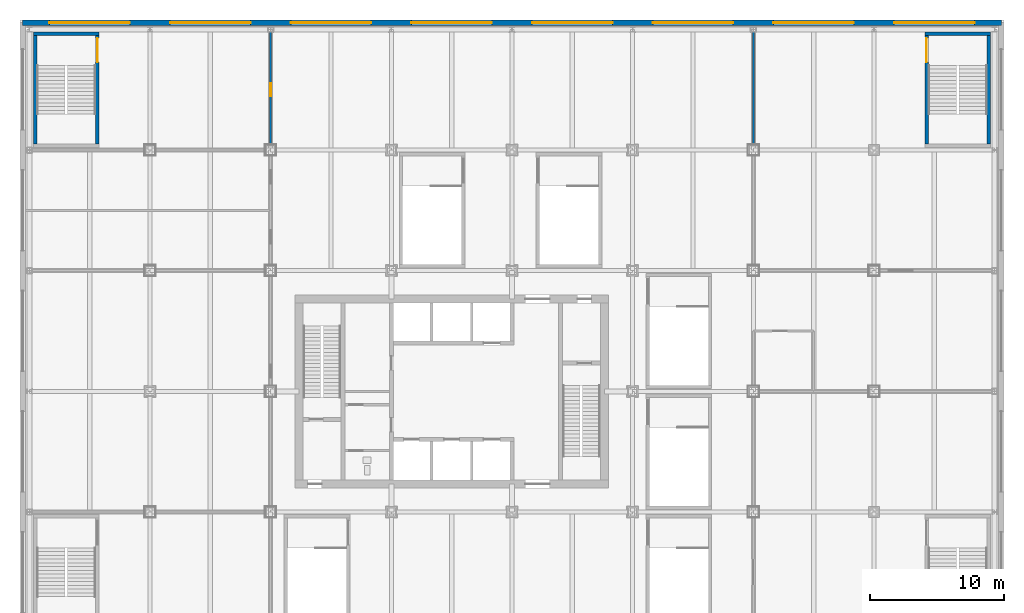
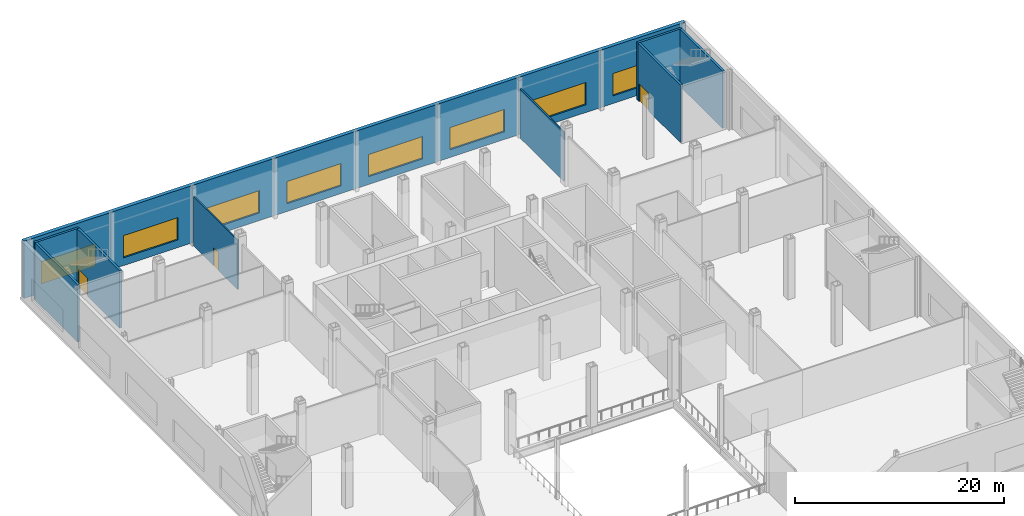
# One storey, part 15 of 32: 9 walls, 8 windows, 3 doors, 11 openings.
"""IFC4 building model written with IfcOpenShell, lengths in metres."""

from ifc_helpers import new_model, si_unit, direction, frame, frame_2d, origin, place, context, subcontext, project, spatial, rectangle, extrude, material, layer, layer_set, type_object, element, fill, save


model = new_model("IFC4")

# Units and contexts
model_context = context("Model", 3, precision=1e-05, world=origin(), true_north=direction((0.0, 1.0)))
body_context = subcontext(model_context, "Body", "Model", "MODEL_VIEW")
ifc_project = project(units=[si_unit("LENGTHUNIT", "METRE"), si_unit("AREAUNIT", "SQUARE_METRE"), si_unit("VOLUMEUNIT", "CUBIC_METRE"), si_unit("PLANEANGLEUNIT", "RADIAN"), si_unit("MASSUNIT", "GRAM", prefix="KILO")], contexts=[model_context])

# Site, building, storey
site_placement = place(None, origin())
site = spatial("IfcSite", under=ifc_project, at=site_placement, CompositionType="ELEMENT")
building_placement = place(site_placement, origin())
building = spatial("IfcBuilding", under=site, at=building_placement, Name="Loomwork Tower", CompositionType="ELEMENT")
storey_placement = place(building_placement, frame((0.0, 0.0, 16.0)))
storey = spatial("IfcBuildingStorey", under=building, at=storey_placement, Name="L03", CompositionType="ELEMENT", Elevation=16.0)

# Wall, opening, door
ifc_material_1 = material(Name="Gypsum board on steel studs, one-hour", Category="steel")
ifc_layer_1 = layer(ifc_material_1, 0.14990234375)
ifc_layer_set_1 = layer_set([ifc_layer_1], Name="Partition 150")
wall_type_1 = type_object("IfcWallType", Name="Partition 150", PredefinedType="PARTITIONING", material=ifc_layer_set_1)
wall_1_placement = place(storey_placement, frame((9.0, 44.81201171875, 0.0), z_axis=(0.0, 0.0, 1.0), x_axis=(0.0, -1.0, 0.0)))
wall_1 = element("IfcWall", 1, at=wall_1_placement, inside=storey, type_object=wall_type_1, Name="Partition L03 11.1", PredefinedType="PARTITIONING", context=body_context, shape_type="SweptSolid", body=[
    extrude(rectangle(XDim=8.412109375, YDim=0.14990234375, at=frame_2d((4.2060546875, 0.0))), origin(), (0.0, 0.0, 1.0), 5.752685546875),
])
opening_1_placement = place(wall_1_placement, frame((3.81201171875, 0.0, 0.0)))
opening_1 = element("IfcOpeningElement", 2, at=opening_1_placement, cuts=wall_1, Name="Opening D15", PredefinedType="OPENING", context=body_context, shape_type="SweptSolid", body=[
    extrude(rectangle(XDim=1.0, YDim=2.10009765625, at=frame_2d((0.5, 1.050048828125))), frame((0.0, 0.0849609375, 0.0), z_axis=(0.0, -1.0, 0.0), x_axis=(1.0, 0.0, 0.0)), (0.0, 0.0, 1.0), 0.169921875),
])
ifc_material_2 = material(Name="Hollow metal door and frame")
door_type_1 = type_object("IfcDoorType", Name="Fire-rated room door 1000", OperationType="SINGLE_SWING_LEFT", PredefinedType="DOOR", material=ifc_material_2)
door_1_placement = place(opening_1_placement, frame((1.0, 0.0, 0.0), z_axis=(0.0, 0.0, 1.0), x_axis=(-1.0, 0.0, 0.0)))
door_1 = element("IfcDoor", 3, at=door_1_placement, inside=storey, type_object=door_type_1, Name="Conference store door", OperationType="SINGLE_SWING_LEFT", OverallHeight=2.10009765625, OverallWidth=1.0, PredefinedType="DOOR", context=body_context, shape_type="SweptSolid", body=[
    extrude(rectangle(XDim=1.0, YDim=2.10009765625, at=frame_2d((0.5, 1.050048828125))), frame((0.0, 0.02490234375, 0.0), z_axis=(0.0, -1.0, 0.0), x_axis=(1.0, 0.0, 0.0)), (0.0, 0.0, 1.0), 0.050048828125),
])
fill(opening_1, door_1)

# Wall
wall_2_placement = place(storey_placement, frame((45.0, 36.39990234375, 0.0), z_axis=(0.0, 0.0, 1.0), x_axis=(0.0, 1.0, 0.0)))
element("IfcWall", 4, at=wall_2_placement, inside=storey, type_object=wall_type_1, Name="Partition L03 20.2", PredefinedType="PARTITIONING", context=body_context, shape_type="SweptSolid", body=[
    extrude(rectangle(XDim=8.412109375, YDim=0.14990234375, at=frame_2d((4.2060546875, 0.0))), origin(), (0.0, 0.0, 1.0), 5.752685546875),
])

# Wall, openings, windows
ifc_material_3 = material(Name="Limestone on concrete masonry", Category="masonry")
ifc_layer_2 = layer(ifc_material_3, 0.39990234375)
ifc_layer_set_2 = layer_set([ifc_layer_2], Name="Podium limestone wall 400")
wall_type_2 = type_object("IfcWallType", Name="Podium limestone wall 400", PredefinedType="SOLIDWALL", material=ifc_layer_set_2)
wall_3_placement = place(storey_placement, frame((63.5, 45.5, 0.0), z_axis=(0.0, 0.0, 1.0), x_axis=(-1.0, 0.0, 0.0)))
wall_3 = element("IfcWall", 5, at=wall_3_placement, inside=storey, type_object=wall_type_2, Name="Podium stone wall N", PredefinedType="SOLIDWALL", context=body_context, shape_type="SweptSolid", body=[
    extrude(rectangle(XDim=73.0, YDim=0.39990234375, at=frame_2d((36.5, 0.0))), origin(), (0.0, 0.0, 1.0), 6.699951171875),
])
opening_2_placement = place(wall_3_placement, frame((2.0, 0.0, 0.89990234375)))
opening_2 = element("IfcOpeningElement", 6, at=opening_2_placement, cuts=wall_3, Name="Opening CH3", PredefinedType="OPENING", context=body_context, shape_type="SweptSolid", body=[
    extrude(rectangle(XDim=6.0, YDim=2.60009765625, at=frame_2d((3.0, 1.300048828125))), frame((0.0, 0.2099609375, 0.0), z_axis=(0.0, -1.0, 0.0), x_axis=(1.0, 0.0, 0.0)), (0.0, 0.0, 1.0), 0.419921875),
])
opening_3_placement = place(wall_3_placement, frame((11.0, 0.0, 0.89990234375)))
opening_3 = element("IfcOpeningElement", 7, at=opening_3_placement, cuts=wall_3, Name="Opening CH3", PredefinedType="OPENING", context=body_context, shape_type="SweptSolid", body=[
    extrude(rectangle(XDim=6.0, YDim=2.60009765625, at=frame_2d((3.0, 1.300048828125))), frame((0.0, 0.2099609375, 0.0), z_axis=(0.0, -1.0, 0.0), x_axis=(1.0, 0.0, 0.0)), (0.0, 0.0, 1.0), 0.419921875),
])
opening_4_placement = place(wall_3_placement, frame((20.0, 0.0, 0.89990234375)))
opening_4 = element("IfcOpeningElement", 8, at=opening_4_placement, cuts=wall_3, Name="Opening CH3", PredefinedType="OPENING", context=body_context, shape_type="SweptSolid", body=[
    extrude(rectangle(XDim=6.0, YDim=2.60009765625, at=frame_2d((3.0, 1.300048828125))), frame((0.0, 0.2099609375, 0.0), z_axis=(0.0, -1.0, 0.0), x_axis=(1.0, 0.0, 0.0)), (0.0, 0.0, 1.0), 0.419921875),
])
opening_5_placement = place(wall_3_placement, frame((29.0, 0.0, 0.89990234375)))
opening_5 = element("IfcOpeningElement", 9, at=opening_5_placement, cuts=wall_3, Name="Opening CH3", PredefinedType="OPENING", context=body_context, shape_type="SweptSolid", body=[
    extrude(rectangle(XDim=6.0, YDim=2.60009765625, at=frame_2d((3.0, 1.300048828125))), frame((0.0, 0.2099609375, 0.0), z_axis=(0.0, -1.0, 0.0), x_axis=(1.0, 0.0, 0.0)), (0.0, 0.0, 1.0), 0.419921875),
])
opening_6_placement = place(wall_3_placement, frame((38.0, 0.0, 0.89990234375)))
opening_6 = element("IfcOpeningElement", 10, at=opening_6_placement, cuts=wall_3, Name="Opening CH3", PredefinedType="OPENING", context=body_context, shape_type="SweptSolid", body=[
    extrude(rectangle(XDim=6.0, YDim=2.60009765625, at=frame_2d((3.0, 1.300048828125))), frame((0.0, 0.2099609375, 0.0), z_axis=(0.0, -1.0, 0.0), x_axis=(1.0, 0.0, 0.0)), (0.0, 0.0, 1.0), 0.419921875),
])
opening_7_placement = place(wall_3_placement, frame((47.0, 0.0, 0.89990234375)))
opening_7 = element("IfcOpeningElement", 11, at=opening_7_placement, cuts=wall_3, Name="Opening CH3", PredefinedType="OPENING", context=body_context, shape_type="SweptSolid", body=[
    extrude(rectangle(XDim=6.0, YDim=2.60009765625, at=frame_2d((3.0, 1.300048828125))), frame((0.0, 0.2099609375, 0.0), z_axis=(0.0, -1.0, 0.0), x_axis=(1.0, 0.0, 0.0)), (0.0, 0.0, 1.0), 0.419921875),
])
opening_8_placement = place(wall_3_placement, frame((56.0, 0.0, 0.89990234375)))
opening_8 = element("IfcOpeningElement", 12, at=opening_8_placement, cuts=wall_3, Name="Opening CH3", PredefinedType="OPENING", context=body_context, shape_type="SweptSolid", body=[
    extrude(rectangle(XDim=6.0, YDim=2.60009765625, at=frame_2d((3.0, 1.300048828125))), frame((0.0, 0.2099609375, 0.0), z_axis=(0.0, -1.0, 0.0), x_axis=(1.0, 0.0, 0.0)), (0.0, 0.0, 1.0), 0.419921875),
])
opening_9_placement = place(wall_3_placement, frame((65.0, 0.0, 0.89990234375)))
opening_9 = element("IfcOpeningElement", 13, at=opening_9_placement, cuts=wall_3, Name="Opening CH3", PredefinedType="OPENING", context=body_context, shape_type="SweptSolid", body=[
    extrude(rectangle(XDim=6.0, YDim=2.60009765625, at=frame_2d((3.0, 1.300048828125))), frame((0.0, 0.2099609375, 0.0), z_axis=(0.0, -1.0, 0.0), x_axis=(1.0, 0.0, 0.0)), (0.0, 0.0, 1.0), 0.419921875),
])
ifc_material_4 = material(Name="Aluminium frame with clear insulated glass", Category="aluminium")
window_type = type_object("IfcWindowType", Name="Podium Chicago window 6000", PartitioningType="TRIPLE_PANEL_VERTICAL", PredefinedType="WINDOW", material=ifc_material_4)
window_1_placement = place(opening_2_placement, origin())
window_1 = element("IfcWindow", 14, at=window_1_placement, inside=storey, type_object=window_type, Name="Podium window N bay 1", OverallHeight=2.60009765625, OverallWidth=6.0, PartitioningType="TRIPLE_PANEL_VERTICAL", PredefinedType="WINDOW", context=body_context, shape_type="SweptSolid", body=[
    extrude(rectangle(XDim=6.0, YDim=2.60009765625, at=frame_2d((3.0, 1.300048828125))), frame((0.0, 0.030029296875, 0.0), z_axis=(0.0, -1.0, 0.0), x_axis=(1.0, 0.0, 0.0)), (0.0, 0.0, 1.0), 0.06005859375),
])
fill(opening_2, window_1)
window_2_placement = place(opening_3_placement, origin())
window_2 = element("IfcWindow", 15, at=window_2_placement, inside=storey, type_object=window_type, Name="Podium window N bay 2", OverallHeight=2.60009765625, OverallWidth=6.0, PartitioningType="TRIPLE_PANEL_VERTICAL", PredefinedType="WINDOW", context=body_context, shape_type="SweptSolid", body=[
    extrude(rectangle(XDim=6.0, YDim=2.60009765625, at=frame_2d((3.0, 1.300048828125))), frame((0.0, 0.030029296875, 0.0), z_axis=(0.0, -1.0, 0.0), x_axis=(1.0, 0.0, 0.0)), (0.0, 0.0, 1.0), 0.06005859375),
])
fill(opening_3, window_2)
window_3_placement = place(opening_4_placement, origin())
window_3 = element("IfcWindow", 16, at=window_3_placement, inside=storey, type_object=window_type, Name="Podium window N bay 3", OverallHeight=2.60009765625, OverallWidth=6.0, PartitioningType="TRIPLE_PANEL_VERTICAL", PredefinedType="WINDOW", context=body_context, shape_type="SweptSolid", body=[
    extrude(rectangle(XDim=6.0, YDim=2.60009765625, at=frame_2d((3.0, 1.300048828125))), frame((0.0, 0.030029296875, 0.0), z_axis=(0.0, -1.0, 0.0), x_axis=(1.0, 0.0, 0.0)), (0.0, 0.0, 1.0), 0.06005859375),
])
fill(opening_4, window_3)
window_4_placement = place(opening_5_placement, origin())
window_4 = element("IfcWindow", 17, at=window_4_placement, inside=storey, type_object=window_type, Name="Podium window N bay 4", OverallHeight=2.60009765625, OverallWidth=6.0, PartitioningType="TRIPLE_PANEL_VERTICAL", PredefinedType="WINDOW", context=body_context, shape_type="SweptSolid", body=[
    extrude(rectangle(XDim=6.0, YDim=2.60009765625, at=frame_2d((3.0, 1.300048828125))), frame((0.0, 0.030029296875, 0.0), z_axis=(0.0, -1.0, 0.0), x_axis=(1.0, 0.0, 0.0)), (0.0, 0.0, 1.0), 0.06005859375),
])
fill(opening_5, window_4)
window_5_placement = place(opening_6_placement, origin())
window_5 = element("IfcWindow", 18, at=window_5_placement, inside=storey, type_object=window_type, Name="Podium window N bay 5", OverallHeight=2.60009765625, OverallWidth=6.0, PartitioningType="TRIPLE_PANEL_VERTICAL", PredefinedType="WINDOW", context=body_context, shape_type="SweptSolid", body=[
    extrude(rectangle(XDim=6.0, YDim=2.60009765625, at=frame_2d((3.0, 1.300048828125))), frame((0.0, 0.030029296875, 0.0), z_axis=(0.0, -1.0, 0.0), x_axis=(1.0, 0.0, 0.0)), (0.0, 0.0, 1.0), 0.06005859375),
])
fill(opening_6, window_5)
window_6_placement = place(opening_7_placement, origin())
window_6 = element("IfcWindow", 19, at=window_6_placement, inside=storey, type_object=window_type, Name="Podium window N bay 6", OverallHeight=2.60009765625, OverallWidth=6.0, PartitioningType="TRIPLE_PANEL_VERTICAL", PredefinedType="WINDOW", context=body_context, shape_type="SweptSolid", body=[
    extrude(rectangle(XDim=6.0, YDim=2.60009765625, at=frame_2d((3.0, 1.300048828125))), frame((0.0, 0.030029296875, 0.0), z_axis=(0.0, -1.0, 0.0), x_axis=(1.0, 0.0, 0.0)), (0.0, 0.0, 1.0), 0.06005859375),
])
fill(opening_7, window_6)
window_7_placement = place(opening_8_placement, origin())
window_7 = element("IfcWindow", 20, at=window_7_placement, inside=storey, type_object=window_type, Name="Podium window N bay 7", OverallHeight=2.60009765625, OverallWidth=6.0, PartitioningType="TRIPLE_PANEL_VERTICAL", PredefinedType="WINDOW", context=body_context, shape_type="SweptSolid", body=[
    extrude(rectangle(XDim=6.0, YDim=2.60009765625, at=frame_2d((3.0, 1.300048828125))), frame((0.0, 0.030029296875, 0.0), z_axis=(0.0, -1.0, 0.0), x_axis=(1.0, 0.0, 0.0)), (0.0, 0.0, 1.0), 0.06005859375),
])
fill(opening_8, window_7)
window_8_placement = place(opening_9_placement, origin())
window_8 = element("IfcWindow", 21, at=window_8_placement, inside=storey, type_object=window_type, Name="Podium window N bay 8", OverallHeight=2.60009765625, OverallWidth=6.0, PartitioningType="TRIPLE_PANEL_VERTICAL", PredefinedType="WINDOW", context=body_context, shape_type="SweptSolid", body=[
    extrude(rectangle(XDim=6.0, YDim=2.60009765625, at=frame_2d((3.0, 1.300048828125))), frame((0.0, 0.030029296875, 0.0), z_axis=(0.0, -1.0, 0.0), x_axis=(1.0, 0.0, 0.0)), (0.0, 0.0, 1.0), 0.06005859375),
])
fill(opening_9, window_8)

# Walls
ifc_material_5 = material(Name="Concrete masonry, two-hour", Category="masonry")
ifc_layer_3 = layer(ifc_material_5, 0.25)
ifc_layer_set_3 = layer_set([ifc_layer_3], Name="Stair enclosure wall 250")
wall_type_3 = type_object("IfcWallType", Name="Stair enclosure wall 250", PredefinedType="SOLIDWALL", material=ifc_layer_set_3)
wall_4_placement = place(storey_placement, frame((-8.699951171875, 44.675048828125, 0.0), z_axis=(0.0, 0.0, 1.0), x_axis=(1.0, 0.0, 0.0)))
element("IfcWall", 22, at=wall_4_placement, inside=storey, type_object=wall_type_3, Name="Stair PS3 enclosure wall N L03", PredefinedType="SOLIDWALL", context=body_context, shape_type="SweptSolid", body=[
    extrude(rectangle(XDim=4.89990234375, YDim=0.25, at=frame_2d((2.449951171875, 0.0))), origin(), (0.0, 0.0, 1.0), 6.699951171875),
])
wall_5_placement = place(storey_placement, frame((-8.574951171875, 36.449951171875, 0.0), z_axis=(0.0, 0.0, 1.0), x_axis=(0.0, 1.0, 0.0)))
element("IfcWall", 23, at=wall_5_placement, inside=storey, type_object=wall_type_3, Name="Stair PS3 enclosure wall W L03", PredefinedType="SOLIDWALL", context=body_context, shape_type="SweptSolid", body=[
    extrude(rectangle(XDim=8.10009765625, YDim=0.25, at=frame_2d((4.050048828125, 0.0))), origin(), (0.0, 0.0, 1.0), 6.699951171875),
])

# Wall, opening, door
wall_6_placement = place(storey_placement, frame((-3.925048828125, 36.449951171875, 0.0), z_axis=(0.0, 0.0, 1.0), x_axis=(0.0, 1.0, 0.0)))
wall_6 = element("IfcWall", 24, at=wall_6_placement, inside=storey, type_object=wall_type_3, Name="Stair PS3 enclosure wall E L03", PredefinedType="SOLIDWALL", context=body_context, shape_type="SweptSolid", body=[
    extrude(rectangle(XDim=8.10009765625, YDim=0.25, at=frame_2d((4.050048828125, 0.0))), origin(), (0.0, 0.0, 1.0), 6.699951171875),
])
opening_10_placement = place(wall_6_placement, frame((6.10009765625, 0.0, 0.0)))
opening_10 = element("IfcOpeningElement", 25, at=opening_10_placement, cuts=wall_6, Name="Opening D14", PredefinedType="OPENING", context=body_context, shape_type="SweptSolid", body=[
    extrude(rectangle(XDim=1.800048828125, YDim=2.10009765625, at=frame_2d((0.89990234375, 1.050048828125))), frame((0.0, 0.135009765625, 0.0), z_axis=(0.0, -1.0, 0.0), x_axis=(1.0, 0.0, 0.0)), (0.0, 0.0, 1.0), 0.27001953125),
])
ifc_material_6 = material(Name="Hollow metal door and frame")
door_type_2 = type_object("IfcDoorType", Name="Stair double door 1800", OperationType="DOUBLE_DOOR_SINGLE_SWING", PredefinedType="DOOR", material=ifc_material_6)
door_2_placement = place(opening_10_placement, origin())
door_2 = element("IfcDoor", 26, at=door_2_placement, inside=storey, type_object=door_type_2, Name="Stair PS3 door L03", OperationType="DOUBLE_DOOR_SINGLE_SWING", OverallHeight=2.10009765625, OverallWidth=1.800048828125, PredefinedType="DOOR", context=body_context, shape_type="SweptSolid", body=[
    extrude(rectangle(XDim=1.800048828125, YDim=2.10009765625, at=frame_2d((0.89990234375, 1.050048828125))), frame((0.0, 0.02490234375, 0.0), z_axis=(0.0, -1.0, 0.0), x_axis=(1.0, 0.0, 0.0)), (0.0, 0.0, 1.0), 0.050048828125),
])
fill(opening_10, door_2)

# Wall
wall_7_placement = place(storey_placement, frame((57.800048828125, 44.675048828125, 0.0), z_axis=(0.0, 0.0, 1.0), x_axis=(1.0, 0.0, 0.0)))
element("IfcWall", 27, at=wall_7_placement, inside=storey, type_object=wall_type_3, Name="Stair PS4 enclosure wall N L03", PredefinedType="SOLIDWALL", context=body_context, shape_type="SweptSolid", body=[
    extrude(rectangle(XDim=4.89990234375, YDim=0.25, at=frame_2d((2.449951171875, 0.0))), origin(), (0.0, 0.0, 1.0), 6.699951171875),
])

# Wall, opening, door
wall_8_placement = place(storey_placement, frame((57.925048828125, 36.449951171875, 0.0), z_axis=(0.0, 0.0, 1.0), x_axis=(0.0, 1.0, 0.0)))
wall_8 = element("IfcWall", 28, at=wall_8_placement, inside=storey, type_object=wall_type_3, Name="Stair PS4 enclosure wall W L03", PredefinedType="SOLIDWALL", context=body_context, shape_type="SweptSolid", body=[
    extrude(rectangle(XDim=8.10009765625, YDim=0.25, at=frame_2d((4.050048828125, 0.0))), origin(), (0.0, 0.0, 1.0), 6.699951171875),
])
opening_11_placement = place(wall_8_placement, frame((6.10009765625, 0.0, 0.0)))
opening_11 = element("IfcOpeningElement", 29, at=opening_11_placement, cuts=wall_8, Name="Opening D14", PredefinedType="OPENING", context=body_context, shape_type="SweptSolid", body=[
    extrude(rectangle(XDim=1.800048828125, YDim=2.10009765625, at=frame_2d((0.89990234375, 1.050048828125))), frame((0.0, 0.135009765625, 0.0), z_axis=(0.0, -1.0, 0.0), x_axis=(1.0, 0.0, 0.0)), (0.0, 0.0, 1.0), 0.27001953125),
])
door_3_placement = place(opening_11_placement, frame((1.800048828125, 0.0, 0.0), z_axis=(0.0, 0.0, 1.0), x_axis=(-1.0, 0.0, 0.0)))
door_3 = element("IfcDoor", 30, at=door_3_placement, inside=storey, type_object=door_type_2, Name="Stair PS4 door L03", OperationType="DOUBLE_DOOR_SINGLE_SWING", OverallHeight=2.10009765625, OverallWidth=1.800048828125, PredefinedType="DOOR", context=body_context, shape_type="SweptSolid", body=[
    extrude(rectangle(XDim=1.800048828125, YDim=2.10009765625, at=frame_2d((0.89990234375, 1.050048828125))), frame((0.0, 0.02490234375, 0.0), z_axis=(0.0, -1.0, 0.0), x_axis=(1.0, 0.0, 0.0)), (0.0, 0.0, 1.0), 0.050048828125),
])
fill(opening_11, door_3)

# Wall
wall_9_placement = place(storey_placement, frame((62.574951171875, 36.449951171875, 0.0), z_axis=(0.0, 0.0, 1.0), x_axis=(0.0, 1.0, 0.0)))
element("IfcWall", 31, at=wall_9_placement, inside=storey, type_object=wall_type_3, Name="Stair PS4 enclosure wall E L03", PredefinedType="SOLIDWALL", context=body_context, shape_type="SweptSolid", body=[
    extrude(rectangle(XDim=8.10009765625, YDim=0.25, at=frame_2d((4.050048828125, 0.0))), origin(), (0.0, 0.0, 1.0), 6.699951171875),
])

save(model, "model.ifc")
